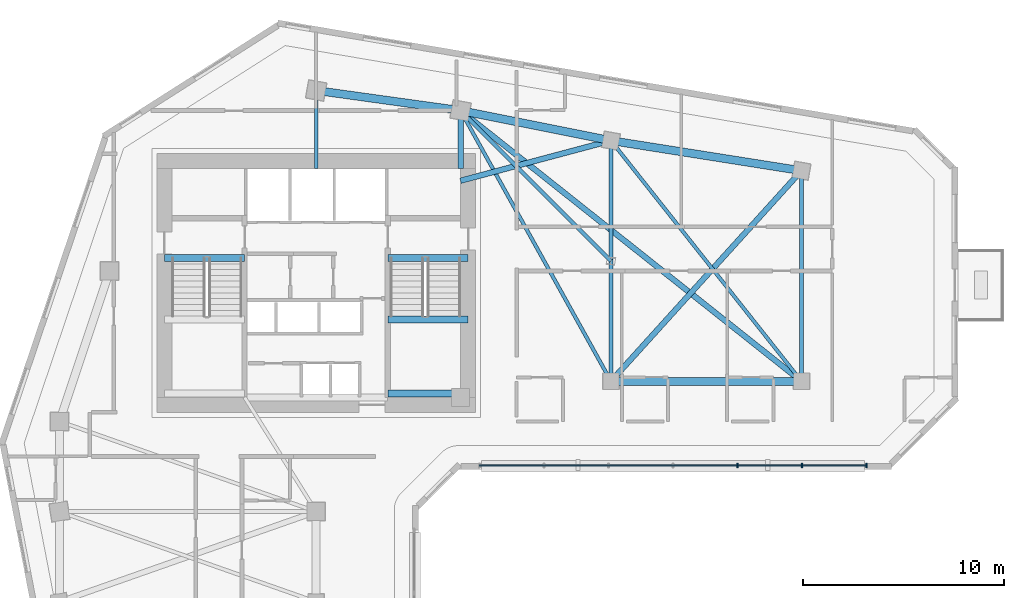
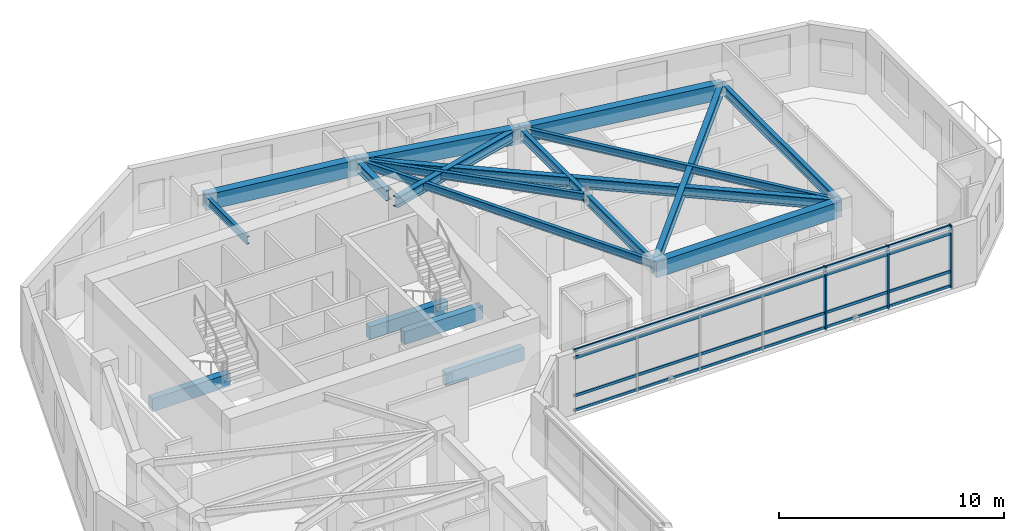
# One storey, part 3 of 14: 18 beams, 7 members, 1 element without a shape of its own.
"""IFC4 building model written with IfcOpenShell, lengths in metres."""

from ifc_helpers import new_model, si_unit, direction, frame, origin, origin_2d, place, context, subcontext, project, spatial, rectangle, i_section, extrude, source, transform, mapped, material, material_profile, profile_set, type_object, element, aggregate, save


model = new_model("IFC4")

# Units and contexts
model_context = context("Model", 3, precision=1e-05, world=origin(), true_north=direction((0.0, 1.0)))
body_context = subcontext(model_context, "Body", "Model", "MODEL_VIEW")
ifc_project = project(units=[si_unit("LENGTHUNIT", "METRE"), si_unit("AREAUNIT", "SQUARE_METRE"), si_unit("VOLUMEUNIT", "CUBIC_METRE"), si_unit("PLANEANGLEUNIT", "RADIAN"), si_unit("MASSUNIT", "GRAM", prefix="KILO")], contexts=[model_context])

# Site, building, storey
site_placement = place(None, origin())
site = spatial("IfcSite", under=ifc_project, at=site_placement, CompositionType="ELEMENT")
building_placement = place(site_placement, origin())
building = spatial("IfcBuilding", under=site, at=building_placement, Name="Calvemar Wedge Station Tower", CompositionType="ELEMENT")
storey_placement = place(building_placement, frame((0.0, 0.0, 125.0)))
storey = spatial("IfcBuildingStorey", under=building, at=storey_placement, Name="L30", CompositionType="ELEMENT", Elevation=125.0)

# Beams
ifc_material_1 = material(Name="Concrete C60", Category="concrete")
ifc_material_profile_1 = material_profile(ifc_material_1, rectangle(XDim=0.39990234375, YDim=0.85009765625, at=origin_2d()), Name="RC400x850")
ifc_profile_set_1 = profile_set([ifc_material_profile_1], Name="Concrete C60")
beam_type_1 = type_object("IfcBeamType", Name="BM-SP1-850", PredefinedType="SPANDREL", material=ifc_profile_set_1)
shared_shape_1 = source(origin(), body_context, "Body", "SweptSolid", [
    extrude(rectangle(XDim=0.39990234375, YDim=0.85009765625, at=origin_2d()), origin(), (0.0, 0.0, 1.0), 7.26904296875),
])
beam_1_placement = place(storey_placement, frame((23.800048828125, 49.5, 2.925048828125), z_axis=(0.990492146053, -0.13756928657, 0.0), x_axis=(0.13756928657, 0.990492146053, 0.0)))
element("IfcBeam", 1, at=beam_1_placement, inside=storey, type_object=beam_type_1, Name="Storey L30 Spandrel T-N1-T-N2", PredefinedType="SPANDREL", context=body_context, shape_type="MappedRepresentation", body=[
    mapped(shared_shape_1, transform((0.0, 0.0, 0.0), scale=1.0)),
])
shared_shape_2 = source(origin(), body_context, "Body", "SweptSolid", [
    extrude(rectangle(XDim=0.39990234375, YDim=0.85009765625, at=origin_2d()), origin(), (0.0, 0.0, 1.0), 7.6484375),
])
beam_2_placement = place(storey_placement, frame((31.0, 48.5, 2.925048828125), z_axis=(0.980580675691, -0.196116135138, 0.0), x_axis=(0.196116135138, 0.980580675691, 0.0)))
element("IfcBeam", 2, at=beam_2_placement, inside=storey, type_object=beam_type_1, Name="Storey L30 Spandrel T-N2-T-NU3", PredefinedType="SPANDREL", context=body_context, shape_type="MappedRepresentation", body=[
    mapped(shared_shape_2, transform((0.0, 0.0, 0.0), scale=1.0)),
])
shared_shape_3 = source(origin(), body_context, "Body", "SweptSolid", [
    extrude(rectangle(XDim=0.39990234375, YDim=0.85009765625, at=origin_2d()), origin(), (0.0, 0.0, 1.0), 9.61767578125),
])
beam_3_placement = place(storey_placement, frame((38.5, 47.0, 2.925048828125), z_axis=(0.987762965329, -0.155962573473, 0.0), x_axis=(0.155962573473, 0.987762965329, 0.0)))
element("IfcBeam", 3, at=beam_3_placement, inside=storey, type_object=beam_type_1, Name="Storey L30 Spandrel T-NU3-T-NU4", PredefinedType="SPANDREL", context=body_context, shape_type="MappedRepresentation", body=[
    mapped(shared_shape_3, transform((0.0, 0.0, 0.0), scale=1.0)),
])
shared_shape_4 = source(origin(), body_context, "Body", "SweptSolid", [
    extrude(rectangle(XDim=0.39990234375, YDim=0.85009765625, at=origin_2d()), origin(), (0.0, 0.0, 1.0), 9.5),
])
beam_4_placement = place(storey_placement, frame((38.5, 35.0, 2.925048828125), z_axis=(1.0, 0.0, 0.0), x_axis=(0.0, 1.0, 0.0)))
element("IfcBeam", 4, at=beam_4_placement, inside=storey, type_object=beam_type_1, Name="Storey L30 Spandrel T-NL2-T-NL3", PredefinedType="SPANDREL", context=body_context, shape_type="MappedRepresentation", body=[
    mapped(shared_shape_4, transform((0.0, 0.0, 0.0), scale=1.0)),
])
ifc_material_2 = material(Name="Structural steel ASTM A572 Grade 50", Category="steel")
ifc_material_profile_2 = material_profile(ifc_material_2, i_section(OverallWidth=0.177978515625, OverallDepth=0.406982421875, WebThickness=0.0078125, FlangeThickness=0.0126953125, FilletRadius=0.010009765625, at=origin_2d()), Name="W410x60")
ifc_profile_set_2 = profile_set([ifc_material_profile_2], Name="Structural steel ASTM A572 Grade 50")
beam_type_2 = type_object("IfcBeamType", Name="BM-J3-W410", PredefinedType="JOIST", material=ifc_profile_set_2)
shared_shape_5 = source(origin(), body_context, "Body", "SweptSolid", [
    extrude(i_section(OverallWidth=0.177978515625, OverallDepth=0.406982421875, WebThickness=0.0078125, FlangeThickness=0.0126953125, FilletRadius=0.010009765625, at=origin_2d()), origin(), (0.0, 0.0, 1.0), 15.443359375),
])
beam_5_placement = place(storey_placement, frame((31.0, 48.5, 3.146484375), z_axis=(0.485642931179, -0.874157276122, 0.0), x_axis=(0.874157276122, 0.485642931179, 0.0)))
element("IfcBeam", 5, at=beam_5_placement, inside=storey, type_object=beam_type_2, Name="Storey L30 Floor Beam T-N2-T-NL2", PredefinedType="JOIST", context=body_context, shape_type="MappedRepresentation", body=[
    mapped(shared_shape_5, transform((0.0, 0.0, 0.0), scale=1.0)),
])
ifc_material_profile_3 = material_profile(ifc_material_2, i_section(OverallWidth=0.279052734375, OverallDepth=0.553955078125, WebThickness=0.017578125, FlangeThickness=0.029541015625, FilletRadius=0.014892578125, at=origin_2d()), Name="W530x196")
ifc_profile_set_3 = profile_set([ifc_material_profile_3], Name="Structural steel ASTM A572 Grade 50")
beam_type_3 = type_object("IfcBeamType", Name="BM-SB3-W530H", PredefinedType="BEAM", material=ifc_profile_set_3)
shared_shape_6 = source(origin(), body_context, "Body", "SweptSolid", [
    extrude(i_section(OverallWidth=0.279052734375, OverallDepth=0.553955078125, WebThickness=0.017578125, FlangeThickness=0.029541015625, FilletRadius=0.014892578125, at=origin_2d()), origin(), (0.0, 0.0, 1.0), 21.708251953125),
])
beam_6_placement = place(storey_placement, frame((31.0, 48.5, 3.072998046875), z_axis=(0.783110847498, -0.621882143602, 0.0), x_axis=(0.621882143602, 0.783110847498, 0.0)))
element("IfcBeam", 6, at=beam_6_placement, inside=storey, type_object=beam_type_3, Name="Storey L30 Floor Beam T-N2-T-NL3", PredefinedType="BEAM", context=body_context, shape_type="MappedRepresentation", body=[
    mapped(shared_shape_6, transform((0.0, 0.0, 0.0), scale=1.0)),
])
shared_shape_7 = source(origin(), body_context, "Body", "SweptSolid", [
    extrude(i_section(OverallWidth=0.177978515625, OverallDepth=0.406982421875, WebThickness=0.0078125, FlangeThickness=0.0126953125, FilletRadius=0.010009765625, at=origin_2d()), origin(), (0.0, 0.0, 1.0), 15.30517578125),
])
beam_7_placement = place(storey_placement, frame((38.5, 47.0, 3.146484375), z_axis=(0.620702944366, -0.784045824462, 0.0), x_axis=(0.784045824462, 0.620702944366, 0.0)))
element("IfcBeam", 7, at=beam_7_placement, inside=storey, type_object=beam_type_2, Name="Storey L30 Floor Beam T-NU3-T-NL3", PredefinedType="JOIST", context=body_context, shape_type="MappedRepresentation", body=[
    mapped(shared_shape_7, transform((0.0, 0.0, 0.0), scale=1.0)),
])
shared_shape_8 = source(origin(), body_context, "Body", "SweptSolid", [
    extrude(i_section(OverallWidth=0.279052734375, OverallDepth=0.553955078125, WebThickness=0.017578125, FlangeThickness=0.029541015625, FilletRadius=0.014892578125, at=origin_2d()), origin(), (0.0, 0.0, 1.0), 14.159912109375),
])
beam_8_placement = place(storey_placement, frame((38.5, 35.0, 3.072998046875), z_axis=(0.670913323969, 0.741535779124, 0.0), x_axis=(-0.741535779124, 0.670913323969, 0.0)))
element("IfcBeam", 8, at=beam_8_placement, inside=storey, type_object=beam_type_3, Name="Storey L30 Floor Beam T-NL2-T-NU4", PredefinedType="BEAM", context=body_context, shape_type="MappedRepresentation", body=[
    mapped(shared_shape_8, transform((0.0, 0.0, 0.0), scale=1.0)),
])
shared_shape_9 = source(origin(), body_context, "Body", "SweptSolid", [
    extrude(i_section(OverallWidth=0.279052734375, OverallDepth=0.553955078125, WebThickness=0.017578125, FlangeThickness=0.029541015625, FilletRadius=0.014892578125, at=origin_2d()), origin(), (0.0, 0.0, 1.0), 7.76220703125),
])
beam_9_placement = place(storey_placement, frame((31.0, 45.0, 3.072998046875), z_axis=(0.966234939601, 0.25766265056, 0.0), x_axis=(-0.25766265056, 0.966234939601, 0.0)))
element("IfcBeam", 9, at=beam_9_placement, inside=storey, type_object=beam_type_3, Name="Storey L30 Core-to-Column Joist CJ-E2", PredefinedType="BEAM", context=body_context, shape_type="MappedRepresentation", body=[
    mapped(shared_shape_9, transform((0.0, 0.0, 0.0), scale=1.0)),
])
shared_shape_10 = source(origin(), body_context, "Body", "SweptSolid", [
    extrude(i_section(OverallWidth=0.177978515625, OverallDepth=0.406982421875, WebThickness=0.0078125, FlangeThickness=0.0126953125, FilletRadius=0.010009765625, at=origin_2d()), origin(), (0.0, 0.0, 1.0), 3.89990234375),
])
beam_10_placement = place(storey_placement, frame((23.800048828125, 45.60009765625, 3.146484375), z_axis=(0.0, 1.0, 0.0), x_axis=(-1.0, 0.0, 0.0)))
element("IfcBeam", 10, at=beam_10_placement, inside=storey, type_object=beam_type_2, Name="Storey L30 Core-to-Column Joist CJ-N1", PredefinedType="JOIST", context=body_context, shape_type="MappedRepresentation", body=[
    mapped(shared_shape_10, transform((0.0, 0.0, 0.0), scale=1.0)),
])
shared_shape_11 = source(origin(), body_context, "Body", "SweptSolid", [
    extrude(i_section(OverallWidth=0.279052734375, OverallDepth=0.553955078125, WebThickness=0.017578125, FlangeThickness=0.029541015625, FilletRadius=0.014892578125, at=origin_2d()), origin(), (0.0, 0.0, 1.0), 2.89990234375),
])
beam_11_placement = place(storey_placement, frame((31.0, 45.60009765625, 3.072998046875), z_axis=(0.0, 1.0, 0.0), x_axis=(-1.0, 0.0, 0.0)))
element("IfcBeam", 11, at=beam_11_placement, inside=storey, type_object=beam_type_3, Name="Storey L30 Core-to-Column Joist CJ-N2", PredefinedType="BEAM", context=body_context, shape_type="MappedRepresentation", body=[
    mapped(shared_shape_11, transform((0.0, 0.0, 0.0), scale=1.0)),
])
ifc_material_3 = material(Name="Concrete C70", Category="concrete")
ifc_material_profile_4 = material_profile(ifc_material_3, rectangle(XDim=0.35009765625, YDim=0.699951171875, at=origin_2d()), Name="RC350x700")
ifc_profile_set_4 = profile_set([ifc_material_profile_4], Name="Concrete C70")
beam_type_4 = type_object("IfcBeamType", Name="BM-LN1-700", PredefinedType="LINTEL", material=ifc_profile_set_4)
shared_shape_12 = source(origin(), body_context, "Body", "SweptSolid", [
    extrude(rectangle(XDim=0.35009765625, YDim=0.699951171875, at=origin_2d()), origin(), (0.0, 0.0, 1.0), 4.0048828125),
])
for number, where, z_axis, x_axis, name in (
    (12, (16.22509765625, 41.14990234375, -0.35009765625), (1.0, 0.0, 0.0), (0.0, 1.0, 0.0), "Storey L30 Stair ST-C1 Landing Trimmer Beam"),
    (13, (27.3701171875, 41.14990234375, -0.35009765625), (1.0, 0.0, 0.0), (0.0, 1.0, 0.0), "Storey L30 Stair ST-C2 Landing Trimmer Beam"),
    (14, (27.3701171875, 34.3798828125, 1.25), (1.0, 0.0, 0.0), (0.0, 1.0, 0.0), "Storey L30 Stair ST-C2 Half-Landing Beam 1A"),
    (15, (27.3701171875, 38.070068359375, 1.25), (1.0, 0.0, 0.0), (0.0, 1.0, 0.0), "Storey L30 Stair ST-C2 Half-Landing Beam 1B"),
):
    element("IfcBeam", number, at=place(storey_placement, frame(where, z_axis=z_axis, x_axis=x_axis)), inside=storey, type_object=beam_type_4, Name=name, PredefinedType="LINTEL", context=body_context, shape_type="MappedRepresentation", body=[
        mapped(shared_shape_12, transform((0.0, 0.0, 0.0), scale=1.0)),
    ])
ifc_material_profile_5 = material_profile(ifc_material_2, i_section(OverallWidth=0.2109375, OverallDepth=0.5390625, WebThickness=0.01171875, FlangeThickness=0.018798828125, FilletRadius=0.012939453125, at=origin_2d()), Name="W530x109")
ifc_profile_set_5 = profile_set([ifc_material_profile_5], Name="Structural steel ASTM A572 Grade 50")
beam_type_5 = type_object("IfcBeamType", Name="BM-SB4-W530", PredefinedType="BEAM", material=ifc_profile_set_5)
shared_shape_13 = source(origin(), body_context, "Body", "SweptSolid", [
    extrude(i_section(OverallWidth=0.2109375, OverallDepth=0.5390625, WebThickness=0.01171875, FlangeThickness=0.018798828125, FilletRadius=0.012939453125, at=origin_2d()), origin(), (0.0, 0.0, 1.0), 12.0),
])
beam_12_placement = place(storey_placement, frame((38.5, 47.0, 3.08056640625), z_axis=(0.0, -1.0, 0.0), x_axis=(1.0, 0.0, 0.0)))
element("IfcBeam", 16, at=beam_12_placement, inside=storey, type_object=beam_type_5, Name="Storey L30 Floor Beam T-NU3-T-NL2", PredefinedType="BEAM", context=body_context, shape_type="MappedRepresentation", body=[
    mapped(shared_shape_13, transform((0.0, 0.0, 0.0), scale=1.0)),
])
shared_shape_14 = source(origin(), body_context, "Body", "SweptSolid", [
    extrude(i_section(OverallWidth=0.2109375, OverallDepth=0.5390625, WebThickness=0.01171875, FlangeThickness=0.018798828125, FilletRadius=0.012939453125, at=origin_2d()), origin(), (0.0, 0.0, 1.0), 10.5),
])
beam_13_placement = place(storey_placement, frame((48.0, 45.5, 3.08056640625), z_axis=(0.0, -1.0, 0.0), x_axis=(1.0, 0.0, 0.0)))
element("IfcBeam", 17, at=beam_13_placement, inside=storey, type_object=beam_type_5, Name="Storey L30 Floor Beam T-NU4-T-NL3", PredefinedType="BEAM", context=body_context, shape_type="MappedRepresentation", body=[
    mapped(shared_shape_14, transform((0.0, 0.0, 0.0), scale=1.0)),
])
shared_shape_15 = source(origin(), body_context, "Body", "SweptSolid", [
    extrude(i_section(OverallWidth=0.177978515625, OverallDepth=0.406982421875, WebThickness=0.0078125, FlangeThickness=0.0126953125, FilletRadius=0.010009765625, at=origin_2d()), origin(), (0.0, 0.0, 1.0), 10.606689453125),
])
beam_14_placement = place(storey_placement, frame((38.5, 41.0, 3.146484375), z_axis=(-0.707106781187, 0.707106781187, 0.0), x_axis=(-0.707106781187, -0.707106781187, 0.0)))
element("IfcBeam", 18, at=beam_14_placement, inside=storey, type_object=beam_type_2, Name="Storey L30 Floor Beam T-NTIP-B-T-N2", PredefinedType="JOIST", context=body_context, shape_type="MappedRepresentation", body=[
    mapped(shared_shape_15, transform((0.0, 0.0, 0.0), scale=1.0)),
])

# Curtain wall, members
ifc_material_4 = material(Name="Anodised aluminium 6063-T6", Category="aluminium")
curtain_wall_type = type_object("IfcCurtainWallType", Name="CW2", PredefinedType="NOTDEFINED", material=ifc_material_4)
curtain_wall_placement = place(storey_placement, origin())
curtain_wall = element("IfcCurtainWall", 19, at=curtain_wall_placement, inside=storey, type_object=curtain_wall_type, Name="Storey L30 CW2 Recessed Unitised Curtain Wall 6", PredefinedType="NOTDEFINED")
ifc_material_profile_6 = material_profile(ifc_material_4, rectangle(XDim=0.074951171875, YDim=0.14990234375, at=origin_2d()), Name="AL-TRN-75x150")
ifc_profile_set_6 = profile_set([ifc_material_profile_6], Name="Anodised aluminium 6063-T6")
member_type_1 = type_object("IfcMemberType", Name="CW2-TRN", PredefinedType="USERDEFINED", material=ifc_profile_set_6)
shared_shape_16 = source(origin(), body_context, "Body", "SweptSolid", [
    extrude(rectangle(XDim=0.074951171875, YDim=0.14990234375, at=origin_2d()), origin(), (0.0, 0.0, 1.0), 19.303955078125),
])
member_1_placement = place(storey_placement, frame((31.933837890625, 30.802001953125, 0.06005859375), z_axis=(1.0, 0.0, 0.0), x_axis=(0.0, 1.0, 0.0)))
member_1 = element("IfcMember", 20, at=member_1_placement, type_object=member_type_1, Name="CW2 transom 1", ObjectType="TRANSOM", PredefinedType="USERDEFINED", context=body_context, shape_type="MappedRepresentation", body=[
    mapped(shared_shape_16, transform((0.0, 0.0, 0.0), scale=1.0)),
])
member_2_placement = place(storey_placement, frame((31.933837890625, 30.802001953125, 0.85009765625), z_axis=(1.0, 0.0, 0.0), x_axis=(0.0, 1.0, 0.0)))
member_2 = element("IfcMember", 21, at=member_2_placement, type_object=member_type_1, Name="CW2 transom 2", ObjectType="TRANSOM", PredefinedType="USERDEFINED", context=body_context, shape_type="MappedRepresentation", body=[
    mapped(shared_shape_16, transform((0.0, 0.0, 0.0), scale=1.0)),
])
member_3_placement = place(storey_placement, frame((31.933837890625, 30.802001953125, 2.89990234375), z_axis=(1.0, 0.0, 0.0), x_axis=(0.0, 1.0, 0.0)))
member_3 = element("IfcMember", 22, at=member_3_placement, type_object=member_type_1, Name="CW2 transom 3", ObjectType="TRANSOM", PredefinedType="USERDEFINED", context=body_context, shape_type="MappedRepresentation", body=[
    mapped(shared_shape_16, transform((0.0, 0.0, 0.0), scale=1.0)),
])
member_4_placement = place(storey_placement, frame((31.933837890625, 30.802001953125, 3.2900390625), z_axis=(1.0, 0.0, 0.0), x_axis=(0.0, 1.0, 0.0)))
member_4 = element("IfcMember", 23, at=member_4_placement, type_object=member_type_1, Name="CW2 transom 4", ObjectType="TRANSOM", PredefinedType="USERDEFINED", context=body_context, shape_type="MappedRepresentation", body=[
    mapped(shared_shape_16, transform((0.0, 0.0, 0.0), scale=1.0)),
])
ifc_material_profile_7 = material_profile(ifc_material_4, rectangle(XDim=0.074951171875, YDim=0.219970703125, at=origin_2d()), Name="AL-MUL-75x220")
ifc_profile_set_7 = profile_set([ifc_material_profile_7], Name="Anodised aluminium 6063-T6")
member_type_2 = type_object("IfcMemberType", Name="CW2-MUL", PredefinedType="MULLION", material=ifc_profile_set_7)
shared_shape_17 = source(origin(), body_context, "Body", "SweptSolid", [
    extrude(rectangle(XDim=0.074951171875, YDim=0.219970703125, at=origin_2d()), origin(), (0.0, 0.0, 1.0), 3.400146484375),
])
member_5_placement = place(storey_placement, frame((44.80322265625, 30.802001953125, -0.050048828125), z_axis=(0.0, 0.0, 1.0), x_axis=(1.0, 0.0, 0.0)))
member_5 = element("IfcMember", 24, at=member_5_placement, type_object=member_type_2, Name="CW2 mullion 5", PredefinedType="MULLION", context=body_context, shape_type="MappedRepresentation", body=[
    mapped(shared_shape_17, transform((0.0, 0.0, 0.0), scale=1.0)),
])
member_6_placement = place(storey_placement, frame((48.0205078125, 30.802001953125, -0.050048828125), z_axis=(0.0, 0.0, 1.0), x_axis=(1.0, 0.0, 0.0)))
member_6 = element("IfcMember", 25, at=member_6_placement, type_object=member_type_2, Name="CW2 mullion 6", PredefinedType="MULLION", context=body_context, shape_type="MappedRepresentation", body=[
    mapped(shared_shape_17, transform((0.0, 0.0, 0.0), scale=1.0)),
])
member_7_placement = place(storey_placement, frame((51.23779296875, 30.802001953125, -0.050048828125), z_axis=(0.0, 0.0, 1.0), x_axis=(1.0, 0.0, 0.0)))
member_7 = element("IfcMember", 26, at=member_7_placement, type_object=member_type_2, Name="CW2 mullion 7", PredefinedType="MULLION", context=body_context, shape_type="MappedRepresentation", body=[
    mapped(shared_shape_17, transform((0.0, 0.0, 0.0), scale=1.0)),
])
aggregate(curtain_wall, [member_5, member_6, member_7, member_1, member_2, member_3, member_4])

save(model, "model.ifc")
